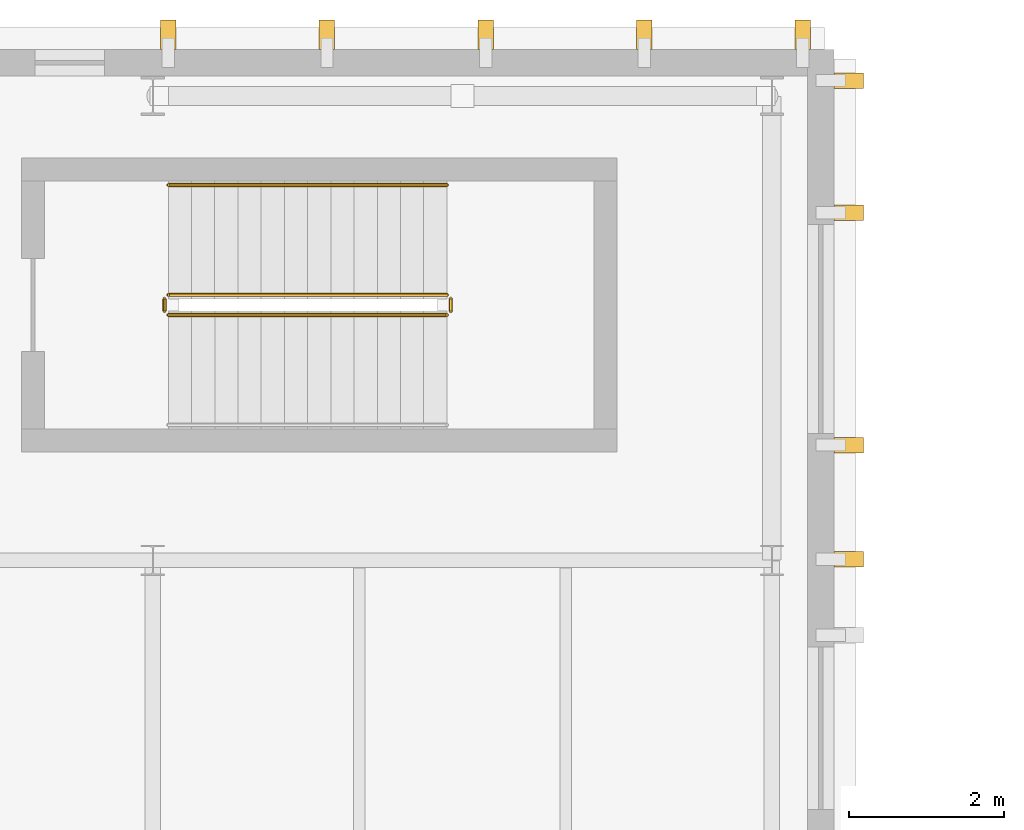
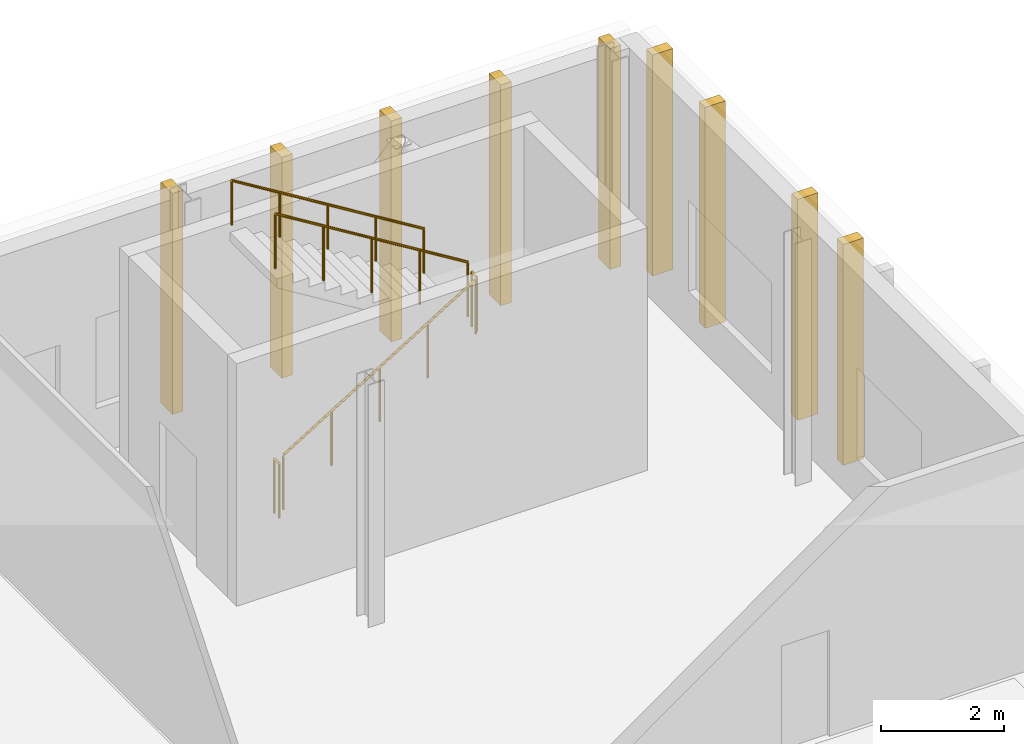
# One storey, part 56 of 60: 9 coverings, 5 railings.
"""IFC4 building model written with IfcOpenShell, lengths in metres."""

from ifc_helpers import new_model, si_unit, direction, frame, origin, origin_2d, place, context, subcontext, project, spatial, rectangle, circle, extrude, material, layer, layer_set, type_object, element, save


model = new_model("IFC4")

# Units and contexts
model_context = context("Model", 3, precision=1e-05, world=origin(), true_north=direction((0.0, 1.0)))
body_context = subcontext(model_context, "Body", "Model", "MODEL_VIEW")
ifc_project = project(units=[si_unit("LENGTHUNIT", "METRE"), si_unit("AREAUNIT", "SQUARE_METRE"), si_unit("VOLUMEUNIT", "CUBIC_METRE"), si_unit("PLANEANGLEUNIT", "RADIAN"), si_unit("MASSUNIT", "GRAM", prefix="KILO")], contexts=[model_context])

# Site, building, storey
site_placement = place(None, origin())
site = spatial("IfcSite", under=ifc_project, at=site_placement, CompositionType="ELEMENT")
building_placement = place(site_placement, origin())
building = spatial("IfcBuilding", under=site, at=building_placement, Name="Cymarion Research Institute", CompositionType="ELEMENT")
storey_placement = place(building_placement, origin())
storey = spatial("IfcBuildingStorey", under=building, at=storey_placement, Name="L00", CompositionType="ELEMENT", Elevation=0.0)

# Railings
ifc_material_1 = material(Name="Steel S355", Category="steel")
railing_type_1 = type_object("IfcRailingType", Name="PAINTED STEEL STAIR GUARDRAIL GR1 1100MM", PredefinedType="GUARDRAIL", material=ifc_material_1)
railing_1_placement = place(storey_placement, frame((38.800048828125, 112.669921875, 0.1845703125)))
element("IfcRailing", 1, at=railing_1_placement, inside=storey, type_object=railing_type_1, Name="L00 ST10 stair guard 1", PredefinedType="GUARDRAIL", context=body_context, shape_type="SweptSolid", body=[
    extrude(circle(Radius=0.02392578125, at=origin_2d()), frame((0.0, 0.0, 1.076171875), z_axis=(0.851654350407, 0.0, 0.524103870844), x_axis=(0.0, 1.0, 0.0)), (0.0, 0.0, 1.0), 4.226806640625),
    extrude(circle(Radius=0.02099609375, at=origin_2d()), origin(), (0.0, 0.0, 1.0), 1.052001953125),
    extrude(circle(Radius=0.02099609375, at=origin_2d()), frame((0.89990234375, 0.0, 0.5537109375)), (0.0, 0.0, 1.0), 1.052001953125),
    extrude(circle(Radius=0.02099609375, at=origin_2d()), frame((1.7998046875, 0.0, 1.107666015625)), (0.0, 0.0, 1.0), 1.052001953125),
    extrude(circle(Radius=0.02099609375, at=origin_2d()), frame((2.699951171875, 0.0, 1.66162109375)), (0.0, 0.0, 1.0), 1.052001953125),
    extrude(circle(Radius=0.02099609375, at=origin_2d()), frame((3.599853515625, 0.0, 2.21533203125)), (0.0, 0.0, 1.0), 1.052001953125),
])
railing_2_placement = place(storey_placement, frame((42.449951171875, 112.719970703125, 2.39990234375)))
element("IfcRailing", 2, at=railing_2_placement, inside=storey, type_object=railing_type_1, Name="L00 ST10 stair guard 2", PredefinedType="GUARDRAIL", context=body_context, shape_type="SweptSolid", body=[
    extrude(circle(Radius=0.02392578125, at=origin_2d()), frame((0.0, 0.0, 1.076171875), z_axis=(0.0, 1.0, 0.0), x_axis=(-1.0, 0.0, 0.0)), (0.0, 0.0, 1.0), 0.159912109375),
    extrude(circle(Radius=0.02099609375, at=origin_2d()), origin(), (0.0, 0.0, 1.0), 1.052001953125),
    extrude(circle(Radius=0.02099609375, at=origin_2d()), frame((0.0, 0.159912109375, 0.0)), (0.0, 0.0, 1.0), 1.052001953125),
])
railing_3_placement = place(storey_placement, frame((42.39990234375, 112.929931640625, 2.584716796875)))
element("IfcRailing", 3, at=railing_3_placement, inside=storey, type_object=railing_type_1, Name="L00 ST10 stair guard 3", PredefinedType="GUARDRAIL", context=body_context, shape_type="SweptSolid", body=[
    extrude(circle(Radius=0.02392578125, at=origin_2d()), frame((0.0, 0.0, 1.076171875), z_axis=(-0.851654350407, 0.0, 0.524103870844), x_axis=(0.0, -1.0, 0.0)), (0.0, 0.0, 1.0), 4.226806640625),
    extrude(circle(Radius=0.02099609375, at=origin_2d()), origin(), (0.0, 0.0, 1.0), 1.052001953125),
    extrude(circle(Radius=0.02099609375, at=origin_2d()), frame((-0.89990234375, 0.0, 0.5537109375)), (0.0, 0.0, 1.0), 1.052001953125),
    extrude(circle(Radius=0.02099609375, at=origin_2d()), frame((-1.7998046875, 0.0, 1.107666015625)), (0.0, 0.0, 1.0), 1.052001953125),
    extrude(circle(Radius=0.02099609375, at=origin_2d()), frame((-2.699951171875, 0.0, 1.66162109375)), (0.0, 0.0, 1.0), 1.052001953125),
    extrude(circle(Radius=0.02099609375, at=origin_2d()), frame((-3.599853515625, 0.0, 2.21533203125)), (0.0, 0.0, 1.0), 1.052001953125),
])
railing_4_placement = place(storey_placement, frame((38.75, 112.719970703125, 0.0)))
element("IfcRailing", 4, at=railing_4_placement, inside=storey, type_object=railing_type_1, Name="L00 ST10 stair guard 4", PredefinedType="GUARDRAIL", context=body_context, shape_type="SweptSolid", body=[
    extrude(circle(Radius=0.02392578125, at=origin_2d()), frame((0.0, 0.0, 1.076171875), z_axis=(0.0, 1.0, 0.0), x_axis=(-1.0, 0.0, 0.0)), (0.0, 0.0, 1.0), 0.159912109375),
    extrude(circle(Radius=0.02099609375, at=origin_2d()), origin(), (0.0, 0.0, 1.0), 1.052001953125),
    extrude(circle(Radius=0.02099609375, at=origin_2d()), frame((0.0, 0.159912109375, 0.0)), (0.0, 0.0, 1.0), 1.052001953125),
])

# Coverings
ifc_material_2 = material(Name="Precast concrete C45/55 architectural white", Category="concrete")
ifc_layer = layer(ifc_material_2, 0.199951171875)
ifc_layer_set = layer_set([ifc_layer], Name="Precast concrete C45/55 architectural white")
covering_type = type_object("IfcCoveringType", Name="SCULPTURAL WHITE PRECAST CONCRETE VERTICAL RIB RIB1 380X200", PredefinedType="CLADDING", material=ifc_layer_set)
for number, where, z_axis, x_axis, name in (
    (5, (47.592041015625, 109.515380859375, 0.010009765625), (0.0, 0.0, 1.0), (1.0, 0.0, 0.0), "L00 V5 sculptural precast vertical rib RIB1 #179"),
    (6, (47.592041015625, 110.98974609375, 0.010009765625), (0.0, 0.0, 1.0), (1.0, 0.0, 0.0), "L00 V5 sculptural precast vertical rib RIB1 #180"),
    (7, (47.592041015625, 113.98974609375, 0.010009765625), (0.0, 0.0, 1.0), (1.0, 0.0, 0.0), "L00 V5 sculptural precast vertical rib RIB1 #181"),
    (8, (47.592041015625, 115.699951171875, 0.010009765625), (0.0, 0.0, 1.0), (1.0, 0.0, 0.0), "L00 V5 sculptural precast vertical rib RIB1 #182"),
    (9, (47.0, 116.2919921875, 0.010009765625), (0.0, 0.0, 1.0), (0.0, 1.0, 0.0), "L00 V5 sculptural precast vertical rib RIB1 #184"),
    (10, (44.949951171875, 116.2919921875, 0.010009765625), (0.0, 0.0, 1.0), (0.0, 1.0, 0.0), "L00 V5 sculptural precast vertical rib RIB1 #185"),
    (11, (42.89990234375, 116.2919921875, 0.010009765625), (0.0, 0.0, 1.0), (0.0, 1.0, 0.0), "L00 V5 sculptural precast vertical rib RIB1 #186"),
    (12, (40.85009765625, 116.2919921875, 0.010009765625), (0.0, 0.0, 1.0), (0.0, 1.0, 0.0), "L00 V5 sculptural precast vertical rib RIB1 #187"),
    (13, (38.800048828125, 116.2919921875, 0.010009765625), (0.0, 0.0, 1.0), (0.0, 1.0, 0.0), "L00 V5 sculptural precast vertical rib RIB1 #188"),
):
    element("IfcCovering", number, at=place(storey_placement, frame(where, z_axis=z_axis, x_axis=x_axis)), inside=storey, type_object=covering_type, Name=name, PredefinedType="CLADDING", context=body_context, shape_type="SweptSolid", body=[
        extrude(rectangle(XDim=0.3798828125, YDim=0.199951171875, at=origin_2d()), origin(), (0.0, 0.0, 1.0), 4.375),
    ])

# Railing
railing_type_2 = type_object("IfcRailingType", Name="STAINLESS STEEL STAIR HANDRAIL HR1 900MM", PredefinedType="HANDRAIL", material=ifc_material_1)
railing_5_placement = place(storey_placement, frame((42.39990234375, 114.35009765625, 2.584716796875)))
element("IfcRailing", 14, at=railing_5_placement, inside=storey, type_object=railing_type_2, Name="L00 ST10 stair handrail 2", PredefinedType="HANDRAIL", context=body_context, shape_type="SweptSolid", body=[
    extrude(circle(Radius=0.02392578125, at=origin_2d()), frame((0.0, 0.0, 0.8759765625), z_axis=(-0.851654350407, 0.0, 0.524103870844), x_axis=(0.0, -1.0, 0.0)), (0.0, 0.0, 1.0), 4.226806640625),
    extrude(circle(Radius=0.02099609375, at=origin_2d()), origin(), (0.0, 0.0, 1.0), 0.851806640625),
    extrude(circle(Radius=0.02099609375, at=origin_2d()), frame((-0.89990234375, 0.0, 0.5537109375)), (0.0, 0.0, 1.0), 0.851806640625),
    extrude(circle(Radius=0.02099609375, at=origin_2d()), frame((-1.7998046875, 0.0, 1.107666015625)), (0.0, 0.0, 1.0), 0.851806640625),
    extrude(circle(Radius=0.02099609375, at=origin_2d()), frame((-2.699951171875, 0.0, 1.66162109375)), (0.0, 0.0, 1.0), 0.851806640625),
    extrude(circle(Radius=0.02099609375, at=origin_2d()), frame((-3.599853515625, 0.0, 2.21533203125)), (0.0, 0.0, 1.0), 0.851806640625),
])

save(model, "model.ifc")
